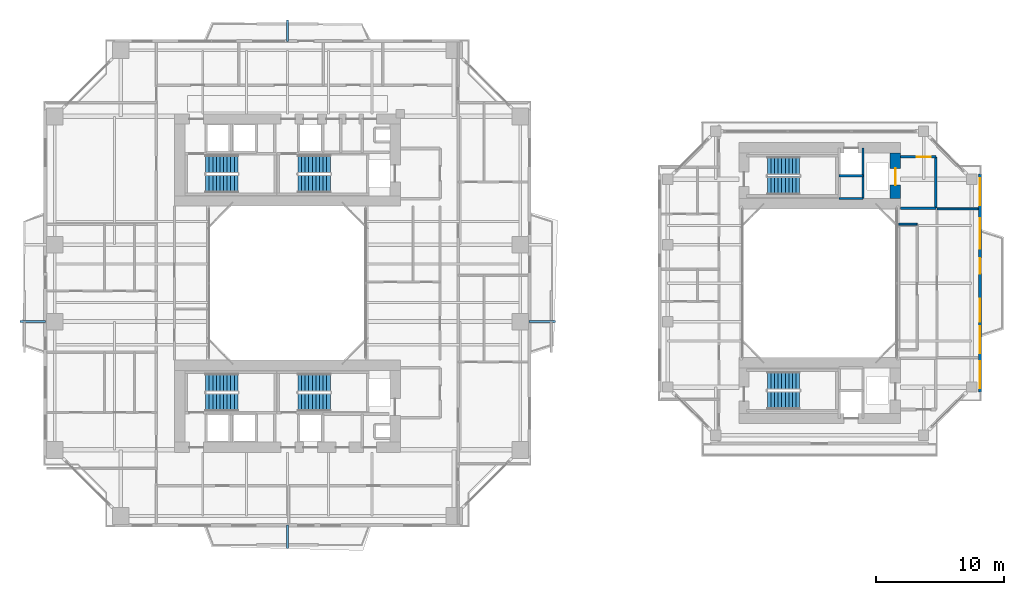
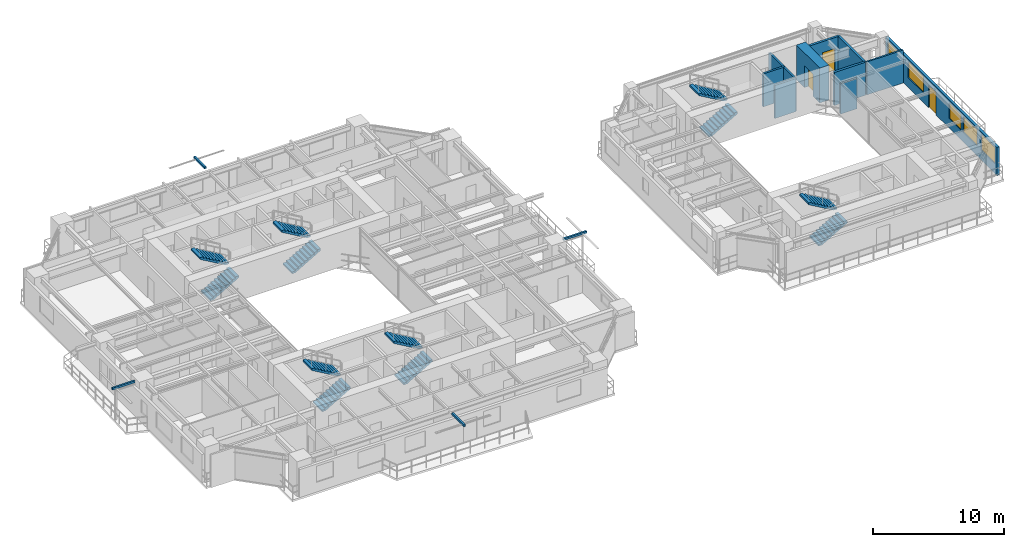
# One storey, part 18 of 24: 12 stair flights, 10 walls, 5 windows, 4 discrete accessories, 3 doors, 8 openings, 6 elements without a shape of their own.
"""IFC4 building model written with IfcOpenShell, lengths in metres."""

from ifc_helpers import new_model, si_unit, direction, frame, frame_2d, origin, origin_2d, place, context, subcontext, project, spatial, polyline, rectangle, outline, extrude, source, transform, mapped, material, layer, layer_set, type_object, element, fill, aggregate, save


model = new_model("IFC4")

# Units and contexts
model_context = context("Model", 3, precision=1e-05, world=origin(), true_north=direction((0.0, 1.0)))
body_context = subcontext(model_context, "Body", "Model", "MODEL_VIEW")
ifc_project = project(units=[si_unit("LENGTHUNIT", "METRE"), si_unit("AREAUNIT", "SQUARE_METRE"), si_unit("VOLUMEUNIT", "CUBIC_METRE"), si_unit("PLANEANGLEUNIT", "RADIAN"), si_unit("MASSUNIT", "GRAM", prefix="KILO"), si_unit("THERMODYNAMICTEMPERATUREUNIT", "KELVIN"), si_unit("POWERUNIT", "WATT")], contexts=[model_context])

# Site, building, storey
site_placement = place(None, origin())
site = spatial("IfcSite", under=ifc_project, at=site_placement, CompositionType="ELEMENT")
building_placement = place(site_placement, origin())
building = spatial("IfcBuilding", under=site, at=building_placement, Name="Qiaomeng Ring Towers", CompositionType="ELEMENT")
storey_placement = place(building_placement, frame((0.0, 0.0, 69.75)))
storey = spatial("IfcBuildingStorey", under=building, at=storey_placement, Name="L19", CompositionType="ELEMENT", Elevation=69.75)

# Wall, openings, windows, door
ifc_material_1 = material(Name="Precast concrete C40", Category="concrete")
ifc_layer_1 = layer(ifc_material_1, 0.219970703125, Name="Precast concrete C40")
ifc_layer_set_1 = layer_set([ifc_layer_1], Name="Precast concrete C40")
wall_type_1 = type_object("IfcWallType", Name="ARC-WL-EW2", PredefinedType="STANDARD", material=ifc_layer_set_1)
wall_1_placement = place(storey_placement, frame((72.989990234375, 14.5, 0.0), z_axis=(0.0, 0.0, 1.0), x_axis=(0.0, 1.0, 0.0)))
wall_1 = element("IfcWall", 1, at=wall_1_placement, inside=storey, type_object=wall_type_1, Name="L19 Companion East Wall", PredefinedType="STANDARD", context=body_context, shape_type="SweptSolid", body=[
    extrude(rectangle(XDim=17.0, YDim=0.219970703125, at=frame_2d((8.5, 0.0))), origin(), (0.0, 0.0, 1.0), 2.610107421875),
])
opening_1_placement = place(wall_1_placement, frame((9.25, 0.0, 0.0)))
opening_1 = element("IfcOpeningElement", 2, at=opening_1_placement, cuts=wall_1, Name="Opening BD1", PredefinedType="OPENING", context=body_context, shape_type="SweptSolid", body=[
    extrude(rectangle(XDim=1.199951171875, YDim=2.10009765625, at=frame_2d((0.60009765625, 1.050048828125))), frame((0.0, 0.119873046875, 0.0), z_axis=(0.0, -1.0, 0.0), x_axis=(1.0, 0.0, 0.0)), (0.0, 0.0, 1.0), 0.239990234375),
])
opening_2_placement = place(wall_1_placement, frame((0.3076171875, 0.0, 0.89990234375)))
opening_2 = element("IfcOpeningElement", 3, at=opening_2_placement, cuts=wall_1, Name="Opening WN4", PredefinedType="OPENING", context=body_context, shape_type="SweptSolid", body=[
    extrude(rectangle(XDim=2.10009765625, YDim=1.5, at=frame_2d((1.050048828125, 0.75))), frame((0.0, 0.119873046875, 0.0), z_axis=(0.0, -1.0, 0.0), x_axis=(1.0, 0.0, 0.0)), (0.0, 0.0, 1.0), 0.239990234375),
])
opening_3_placement = place(wall_1_placement, frame((5.47509765625, 0.0, 0.89990234375)))
opening_3 = element("IfcOpeningElement", 4, at=opening_3_placement, cuts=wall_1, Name="Opening WN1", PredefinedType="OPENING", context=body_context, shape_type="SweptSolid", body=[
    extrude(rectangle(XDim=1.800048828125, YDim=1.449951171875, at=frame_2d((0.89990234375, 0.72509765625))), frame((0.0, 0.119873046875, 0.0), z_axis=(0.0, -1.0, 0.0), x_axis=(1.0, 0.0, 0.0)), (0.0, 0.0, 1.0), 0.239990234375),
])
opening_4_placement = place(wall_1_placement, frame((14.592529296875, 0.0, 0.89990234375)))
opening_4 = element("IfcOpeningElement", 5, at=opening_4_placement, cuts=wall_1, Name="Opening WN4", PredefinedType="OPENING", context=body_context, shape_type="SweptSolid", body=[
    extrude(rectangle(XDim=2.10009765625, YDim=1.5, at=frame_2d((1.050048828125, 0.75))), frame((0.0, 0.119873046875, 0.0), z_axis=(0.0, -1.0, 0.0), x_axis=(1.0, 0.0, 0.0)), (0.0, 0.0, 1.0), 0.239990234375),
])
opening_5_placement = place(wall_1_placement, frame((3.054931640625, 0.0, 0.89990234375)))
opening_5 = element("IfcOpeningElement", 6, at=opening_5_placement, cuts=wall_1, Name="Opening WN4", PredefinedType="OPENING", context=body_context, shape_type="SweptSolid", body=[
    extrude(rectangle(XDim=2.10009765625, YDim=1.5, at=frame_2d((1.050048828125, 0.75))), frame((0.0, 0.119873046875, 0.0), z_axis=(0.0, -1.0, 0.0), x_axis=(1.0, 0.0, 0.0)), (0.0, 0.0, 1.0), 0.239990234375),
])
opening_6_placement = place(wall_1_placement, frame((11.16748046875, 0.0, 0.89990234375)))
opening_6 = element("IfcOpeningElement", 7, at=opening_6_placement, cuts=wall_1, Name="Opening WN6", PredefinedType="OPENING", context=body_context, shape_type="SweptSolid", body=[
    extrude(rectangle(XDim=2.39990234375, YDim=1.5, at=frame_2d((1.199951171875, 0.75))), frame((0.0, 0.119873046875, 0.0), z_axis=(0.0, -1.0, 0.0), x_axis=(1.0, 0.0, 0.0)), (0.0, 0.0, 1.0), 0.239990234375),
])
ifc_material_2 = material(Name="Low-E dark-grey laminated double glazing", Category="glass")
window_type_1 = type_object("IfcWindowType", Name="ARC-WN-4", PartitioningType="TRIPLE_PANEL_VERTICAL", PredefinedType="WINDOW", material=ifc_material_2)
shared_shape_1 = source(origin(), body_context, "Body", "SweptSolid", [
    extrude(rectangle(XDim=2.10009765625, YDim=1.5, at=frame_2d((1.050048828125, 0.75))), frame((0.0, 0.030029296875, 0.0), z_axis=(0.0, -1.0, 0.0), x_axis=(1.0, 0.0, 0.0)), (0.0, 0.0, 1.0), 0.06005859375),
])
window_1_placement = place(opening_2_placement, origin())
window_1 = element("IfcWindow", 8, at=window_1_placement, inside=storey, type_object=window_type_1, Name="L19 Exterior Window WN6", OverallHeight=1.5, OverallWidth=2.10009765625, PartitioningType="TRIPLE_PANEL_VERTICAL", PredefinedType="WINDOW", context=body_context, shape_type="MappedRepresentation", body=[
    mapped(shared_shape_1, transform((0.0, 0.0, 0.0), x_axis=(1.0, 0.0, 0.0), y_axis=(0.0, 1.0, 0.0), z_axis=(0.0, 0.0, 1.0), scale=1.0)),
])
fill(opening_2, window_1)
window_2_placement = place(opening_4_placement, origin())
window_2 = element("IfcWindow", 9, at=window_2_placement, inside=storey, type_object=window_type_1, Name="L19 Exterior Window WN4", OverallHeight=1.5, OverallWidth=2.10009765625, PartitioningType="TRIPLE_PANEL_VERTICAL", PredefinedType="WINDOW", context=body_context, shape_type="MappedRepresentation", body=[
    mapped(shared_shape_1, transform((0.0, 0.0, 0.0), x_axis=(1.0, 0.0, 0.0), y_axis=(0.0, 1.0, 0.0), z_axis=(0.0, 0.0, 1.0), scale=1.0)),
])
fill(opening_4, window_2)
window_3_placement = place(opening_5_placement, origin())
window_3 = element("IfcWindow", 10, at=window_3_placement, inside=storey, type_object=window_type_1, Name="L19 Exterior Window WN4", OverallHeight=1.5, OverallWidth=2.10009765625, PartitioningType="TRIPLE_PANEL_VERTICAL", PredefinedType="WINDOW", context=body_context, shape_type="MappedRepresentation", body=[
    mapped(shared_shape_1, transform((0.0, 0.0, 0.0), x_axis=(1.0, 0.0, 0.0), y_axis=(0.0, 1.0, 0.0), z_axis=(0.0, 0.0, 1.0), scale=1.0)),
])
fill(opening_5, window_3)
window_type_2 = type_object("IfcWindowType", Name="ARC-WN-1", PartitioningType="DOUBLE_PANEL_VERTICAL", PredefinedType="WINDOW", material=ifc_material_2)
shared_shape_2 = source(origin(), body_context, "Body", "SweptSolid", [
    extrude(rectangle(XDim=1.800048828125, YDim=1.449951171875, at=frame_2d((0.89990234375, 0.72509765625))), frame((0.0, 0.030029296875, 0.0), z_axis=(0.0, -1.0, 0.0), x_axis=(1.0, 0.0, 0.0)), (0.0, 0.0, 1.0), 0.06005859375),
])
window_4_placement = place(opening_3_placement, origin())
window_4 = element("IfcWindow", 11, at=window_4_placement, inside=storey, type_object=window_type_2, Name="L19 Exterior Window WN1", OverallHeight=1.449951171875, OverallWidth=1.800048828125, PartitioningType="DOUBLE_PANEL_VERTICAL", PredefinedType="WINDOW", context=body_context, shape_type="MappedRepresentation", body=[
    mapped(shared_shape_2, transform((0.0, 0.0, 0.0), x_axis=(1.0, 0.0, 0.0), y_axis=(0.0, 1.0, 0.0), z_axis=(0.0, 0.0, 1.0), scale=1.0)),
])
fill(opening_3, window_4)
door_type_1 = type_object("IfcDoorType", Name="ARC-DR-BD1", OperationType="NOTDEFINED", PredefinedType="DOOR", material=ifc_material_2)
shared_shape_3 = source(origin(), body_context, "Body", "SweptSolid", [
    extrude(rectangle(XDim=1.199951171875, YDim=2.10009765625, at=frame_2d((0.60009765625, 1.050048828125))), frame((0.0, 0.02490234375, 0.0), z_axis=(0.0, -1.0, 0.0), x_axis=(1.0, 0.0, 0.0)), (0.0, 0.0, 1.0), 0.050048828125),
])
door_1_placement = place(opening_1_placement, origin())
door_1 = element("IfcDoor", 12, at=door_1_placement, inside=storey, type_object=door_type_1, Name="L19 Companion East Balcony Door", OperationType="SINGLE_SWING_LEFT", OverallHeight=2.10009765625, OverallWidth=1.199951171875, PredefinedType="DOOR", context=body_context, shape_type="MappedRepresentation", body=[
    mapped(shared_shape_3, transform((0.0, 0.0, 0.0), x_axis=(1.0, 0.0, 0.0), y_axis=(0.0, 1.0, 0.0), z_axis=(0.0, 0.0, 1.0), scale=1.0)),
])
fill(opening_1, door_1)
window_type_3 = type_object("IfcWindowType", Name="ARC-WN-6", PartitioningType="TRIPLE_PANEL_VERTICAL", PredefinedType="WINDOW", material=ifc_material_2)
shared_shape_4 = source(origin(), body_context, "Body", "SweptSolid", [
    extrude(rectangle(XDim=2.39990234375, YDim=1.5, at=frame_2d((1.199951171875, 0.75))), frame((0.0, 0.030029296875, 0.0), z_axis=(0.0, -1.0, 0.0), x_axis=(1.0, 0.0, 0.0)), (0.0, 0.0, 1.0), 0.06005859375),
])
window_5_placement = place(opening_6_placement, origin())
window_5 = element("IfcWindow", 13, at=window_5_placement, inside=storey, type_object=window_type_3, Name="L19 Exterior Window WN6", OverallHeight=1.5, OverallWidth=2.39990234375, PartitioningType="TRIPLE_PANEL_VERTICAL", PredefinedType="WINDOW", context=body_context, shape_type="MappedRepresentation", body=[
    mapped(shared_shape_4, transform((0.0, 0.0, 0.0), x_axis=(1.0, 0.0, 0.0), y_axis=(0.0, 1.0, 0.0), z_axis=(0.0, 0.0, 1.0), scale=1.0)),
])
fill(opening_6, window_5)

# Walls
ifc_material_3 = material(Name="Autoclaved aerated concrete block", Category="concrete")
ifc_layer_2 = layer(ifc_material_3, 0.199951171875, Name="Autoclaved aerated concrete block")
ifc_layer_set_2 = layer_set([ifc_layer_2], Name="Autoclaved aerated concrete block")
wall_type_2 = type_object("IfcWallType", Name="ARC-WL-PW1", PredefinedType="PARTITIONING", material=ifc_layer_set_2)
wall_2_placement = place(storey_placement, frame((66.800048828125, 28.85009765625, 0.0), z_axis=(0.0, 0.0, 1.0), x_axis=(1.0, 0.0, 0.0)))
element("IfcWall", 14, at=wall_2_placement, inside=storey, type_object=wall_type_2, Name="L19 Interior Wall PW1", PredefinedType="PARTITIONING", context=body_context, shape_type="SweptSolid", body=[
    extrude(rectangle(XDim=2.75, YDim=0.199951171875, at=frame_2d((1.375, 0.0))), origin(), (0.0, 0.0, 1.0), 3.070068359375),
])
wall_3_placement = place(storey_placement, frame((69.550048828125, 28.85009765625, 0.0), z_axis=(0.0, 0.0, 1.0), x_axis=(0.0, 1.0, 0.0)))
element("IfcWall", 15, at=wall_3_placement, inside=storey, type_object=wall_type_2, Name="L19 Interior Wall PW1", PredefinedType="PARTITIONING", context=body_context, shape_type="SweptSolid", body=[
    extrude(rectangle(XDim=4.0, YDim=0.199951171875, at=frame_2d((2.0, 0.0))), origin(), (0.0, 0.0, 1.0), 3.070068359375),
])

# Wall, opening, door
wall_4_placement = place(storey_placement, frame((66.800048828125, 32.85009765625, 0.0), z_axis=(0.0, 0.0, 1.0), x_axis=(1.0, 0.0, 0.0)))
wall_4 = element("IfcWall", 16, at=wall_4_placement, inside=storey, type_object=wall_type_2, Name="L19 Interior Wall PW1", PredefinedType="PARTITIONING", context=body_context, shape_type="SweptSolid", body=[
    extrude(rectangle(XDim=2.75, YDim=0.199951171875, at=frame_2d((1.375, 0.0))), origin(), (0.0, 0.0, 1.0), 3.070068359375),
])
opening_7_placement = place(wall_4_placement, frame((1.25, 0.0, 0.0)))
opening_7 = element("IfcOpeningElement", 17, at=opening_7_placement, cuts=wall_4, Name="Opening FD3", PredefinedType="OPENING", context=body_context, shape_type="SweptSolid", body=[
    extrude(rectangle(XDim=1.10009765625, YDim=2.050048828125, at=frame_2d((0.550048828125, 1.02490234375))), frame((0.0, 0.10986328125, 0.0), z_axis=(0.0, -1.0, 0.0), x_axis=(1.0, 0.0, 0.0)), (0.0, 0.0, 1.0), 0.219970703125),
])
ifc_material_4 = material(Name="Galvanised steel", Category="steel")
door_type_2 = type_object("IfcDoorType", Name="ARC-DR-FD3", OperationType="NOTDEFINED", PredefinedType="DOOR", material=ifc_material_4)
shared_shape_5 = source(origin(), body_context, "Body", "SweptSolid", [
    extrude(rectangle(XDim=1.10009765625, YDim=2.050048828125, at=frame_2d((0.550048828125, 1.02490234375))), frame((0.0, 0.02490234375, 0.0), z_axis=(0.0, -1.0, 0.0), x_axis=(1.0, 0.0, 0.0)), (0.0, 0.0, 1.0), 0.050048828125),
])
door_2_placement = place(opening_7_placement, origin())
door_2 = element("IfcDoor", 18, at=door_2_placement, inside=storey, type_object=door_type_2, Name="L19 Door FD3", OperationType="SINGLE_SWING_LEFT", OverallHeight=2.050048828125, OverallWidth=1.10009765625, PredefinedType="DOOR", context=body_context, shape_type="MappedRepresentation", body=[
    mapped(shared_shape_5, transform((0.0, 0.0, 0.0), x_axis=(1.0, 0.0, 0.0), y_axis=(0.0, 1.0, 0.0), z_axis=(0.0, 0.0, 1.0), scale=1.0)),
])
fill(opening_7, door_2)

# Walls
ifc_material_5 = material(Name="Gypsum fireboard steel-stud partition", Category="steel")
ifc_layer_3 = layer(ifc_material_5, 0.14990234375, Name="Gypsum fireboard steel-stud partition")
ifc_layer_set_3 = layer_set([ifc_layer_3], Name="Gypsum fireboard steel-stud partition")
wall_type_3 = type_object("IfcWallType", Name="ARC-WL-PW3", PredefinedType="PARTITIONING", material=ifc_layer_set_3)
wall_5_placement = place(storey_placement, frame((69.64990234375, 28.800048828125, 0.0), z_axis=(0.0, 0.0, 1.0), x_axis=(1.0, 0.0, 0.0)))
element("IfcWall", 19, at=wall_5_placement, inside=storey, type_object=wall_type_3, Name="L19 Interior Wall PW3", PredefinedType="PARTITIONING", context=body_context, shape_type="SweptSolid", body=[
    extrude(rectangle(XDim=3.2001953125, YDim=0.14990234375, at=frame_2d((1.60009765625, 0.0))), origin(), (0.0, 0.0, 1.0), 3.070068359375),
])
wall_6_placement = place(storey_placement, frame((66.64990234375, 27.60009765625, 0.0), z_axis=(0.0, 0.0, 1.0), x_axis=(1.0, 0.0, 0.0)))
element("IfcWall", 20, at=wall_6_placement, inside=storey, type_object=wall_type_3, Name="L19 Interior Wall PW3", PredefinedType="PARTITIONING", context=body_context, shape_type="SweptSolid", body=[
    extrude(rectangle(XDim=1.4501953125, YDim=0.14990234375, at=frame_2d((0.72509765625, 0.0))), origin(), (0.0, 0.0, 1.0), 2.821044921875),
])
ifc_material_6 = material(Name="Concrete C40", Category="concrete")
ifc_layer_4 = layer(ifc_material_6, 0.199951171875, Name="Concrete C40")
ifc_layer_set_4 = layer_set([ifc_layer_4], Name="Concrete C40")
wall_type_4 = type_object("IfcWallType", Name="STR-WL-STSHAFT", PredefinedType="SHEAR", material=ifc_layer_set_4)
wall_7_placement = place(storey_placement, frame((63.8798828125, 29.60009765625, 0.0), z_axis=(0.0, 0.0, 1.0), x_axis=(0.0, 1.0, 0.0)))
element("IfcWall", 21, at=wall_7_placement, inside=storey, type_object=wall_type_4, Name="L19 Companion Lift Shaft East Wall N", PredefinedType="SHEAR", context=body_context, shape_type="SweptSolid", body=[
    extrude(rectangle(XDim=3.949951171875, YDim=0.179931640625, at=frame_2d((1.97509765625, 0.0))), origin(), (0.0, 0.0, 1.0), 3.070068359375),
])
for number, where, z_axis, x_axis, name in (
    (22, (62.02001953125, 31.3798828125, 0.0), (0.0, 0.0, 1.0), (1.0, 0.0, 0.0), "L19 Companion Lift Shaft Divider Wall N"),
    (23, (62.02001953125, 29.60009765625, 0.0), (0.0, 0.0, 1.0), (1.0, 0.0, 0.0), "L19 Companion Riser Shaft Back Wall N"),
):
    element("IfcWall", number, at=place(storey_placement, frame(where, z_axis=z_axis, x_axis=x_axis)), inside=storey, type_object=wall_type_4, Name=name, PredefinedType="SHEAR", context=body_context, shape_type="SweptSolid", body=[
        extrude(rectangle(XDim=1.85986328125, YDim=0.179931640625, at=frame_2d((0.929931640625, 0.0))), origin(), (0.0, 0.0, 1.0), 3.070068359375),
    ])

# Wall, opening, door
ifc_material_7 = material(Name="Concrete C60", Category="concrete")
ifc_layer_5 = layer(ifc_material_7, 0.800048828125, Name="Concrete C60")
ifc_layer_set_5 = layer_set([ifc_layer_5], Name="Concrete C60")
wall_type_5 = type_object("IfcWallType", Name="STR-WL-SW1", PredefinedType="SHEAR", material=ifc_layer_set_5)
wall_8_placement = place(storey_placement, frame((66.39990234375, 29.60009765625, 0.0), z_axis=(0.0, 0.0, 1.0), x_axis=(0.0, 1.0, 0.0)))
wall_8 = element("IfcWall", 24, at=wall_8_placement, inside=storey, type_object=wall_type_5, Name="L19 T2NC east core shear wall", PredefinedType="SHEAR", context=body_context, shape_type="SweptSolid", body=[
    extrude(rectangle(XDim=3.5498046875, YDim=0.800048828125, at=frame_2d((1.77490234375, 0.0))), origin(), (0.0, 0.0, 1.0), 3.25),
])
opening_8_placement = place(wall_8_placement, frame((1.050048828125, 0.0, 0.0)))
opening_8 = element("IfcOpeningElement", 25, at=opening_8_placement, cuts=wall_8, Name="Opening LD2", PredefinedType="OPENING", context=body_context, shape_type="SweptSolid", body=[
    extrude(rectangle(XDim=1.300048828125, YDim=2.050048828125, at=frame_2d((0.64990234375, 1.02490234375))), frame((0.0, 0.409912109375, 0.0), z_axis=(0.0, -1.0, 0.0), x_axis=(1.0, 0.0, 0.0)), (0.0, 0.0, 1.0), 0.820068359375),
])
ifc_material_8 = material(Name="Stainless steel 316", Category="steel")
door_type_3 = type_object("IfcDoorType", Name="ARC-DR-LD2", OperationType="NOTDEFINED", PredefinedType="DOOR", material=ifc_material_8)
shared_shape_6 = source(origin(), body_context, "Body", "SweptSolid", [
    extrude(rectangle(XDim=1.300048828125, YDim=2.050048828125, at=frame_2d((0.64990234375, 1.02490234375))), frame((0.0, 0.02490234375, 0.0), z_axis=(0.0, -1.0, 0.0), x_axis=(1.0, 0.0, 0.0)), (0.0, 0.0, 1.0), 0.050048828125),
])
door_3_placement = place(opening_8_placement, origin())
door_3 = element("IfcDoor", 26, at=door_3_placement, inside=storey, type_object=door_type_3, Name="L19 Firefighting Lift FL3 Landing Door", OperationType="SLIDING_TO_LEFT", OverallHeight=2.050048828125, OverallWidth=1.300048828125, PredefinedType="DOOR", context=body_context, shape_type="MappedRepresentation", body=[
    mapped(shared_shape_6, transform((0.0, 0.0, 0.0), x_axis=(1.0, 0.0, 0.0), y_axis=(0.0, 1.0, 0.0), z_axis=(0.0, 0.0, 1.0), scale=1.0)),
])
fill(opening_8, door_3)

# Stair, stair flights
stair_type = type_object("IfcStairType", Name="ARC-ST-325", PredefinedType="HALF_TURN_STAIR", material=ifc_material_1)
stair_1_placement = place(storey_placement, origin())
stair_1 = element("IfcStair", 27, at=stair_1_placement, inside=storey, type_object=stair_type, Name="L19 Tower 1 North Stair 1", PredefinedType="HALF_TURN_STAIR")
stair_flight_type = type_object("IfcStairFlightType", Name="ARC-ST-325-FL", PredefinedType="STRAIGHT", material=ifc_material_1)
shared_shape_7 = source(origin(), body_context, "Body", "SweptSolid", [
    extrude(outline(polyline([(0.0, 0.0), (0.0, 0.16259765625), (0.280029296875, 0.16259765625), (0.280029296875, 0.324951171875), (0.56005859375, 0.324951171875), (0.56005859375, 0.487548828125), (0.840087890625, 0.487548828125), (0.840087890625, 0.64990234375), (1.1201171875, 0.64990234375), (1.1201171875, 0.8125), (1.39990234375, 0.8125), (1.39990234375, 0.97509765625), (1.679931640625, 0.97509765625), (1.679931640625, 1.137451171875), (1.9599609375, 1.137451171875), (1.9599609375, 1.300048828125), (2.239990234375, 1.300048828125), (2.239990234375, 1.46240234375), (2.52001953125, 1.46240234375), (2.52001953125, 1.625), (2.52001953125, 1.2890625), (0.298583984375, 0.0), (0.0, 0.0)])), frame((0.0, 0.699951171875, 0.0), z_axis=(0.0, -1.0, 0.0), x_axis=(1.0, 0.0, 0.0)), (0.0, 0.0, 1.0), 1.39990234375),
])
stair_flight_1_placement = place(storey_placement, frame((12.6201171875, 30.75, 0.0), z_axis=(0.0, 0.0, 1.0), x_axis=(1.0, 0.0, 0.0)))
stair_flight_1 = element("IfcStairFlight", 28, at=stair_flight_1_placement, type_object=stair_flight_type, Name="ST1 flight 1", NumberOfRisers=10, NumberOfTreads=9, PredefinedType="STRAIGHT", RiserHeight=0.1625, TreadLength=0.28, context=body_context, shape_type="MappedRepresentation", body=[
    mapped(shared_shape_7, transform((0.0, 0.0, 0.0), x_axis=(1.0, 0.0, 0.0), y_axis=(0.0, 1.0, 0.0), z_axis=(0.0, 0.0, 1.0), scale=1.0)),
])
stair_flight_2_placement = place(storey_placement, frame((15.139892578125, 32.2900390625, 1.625), z_axis=(0.0, 0.0, 1.0), x_axis=(-1.0, 0.0, 0.0)))
stair_flight_2 = element("IfcStairFlight", 29, at=stair_flight_2_placement, type_object=stair_flight_type, Name="ST1 flight 2", NumberOfRisers=10, NumberOfTreads=9, PredefinedType="STRAIGHT", RiserHeight=0.1625, TreadLength=0.28, context=body_context, shape_type="MappedRepresentation", body=[
    mapped(shared_shape_7, transform((0.0, 0.0, 0.0), x_axis=(1.0, 0.0, 0.0), y_axis=(0.0, 1.0, 0.0), z_axis=(0.0, 0.0, 1.0), scale=1.0)),
])
aggregate(stair_1, [stair_flight_1, stair_flight_2])

stair_2_placement = place(storey_placement, origin())
stair_2 = element("IfcStair", 30, at=stair_2_placement, inside=storey, type_object=stair_type, Name="L19 Tower 1 North Stair 2", PredefinedType="HALF_TURN_STAIR")
stair_flight_3_placement = place(storey_placement, frame((19.820068359375, 30.75, 0.0), z_axis=(0.0, 0.0, 1.0), x_axis=(1.0, 0.0, 0.0)))
stair_flight_3 = element("IfcStairFlight", 31, at=stair_flight_3_placement, type_object=stair_flight_type, Name="ST2 flight 1", NumberOfRisers=10, NumberOfTreads=9, PredefinedType="STRAIGHT", RiserHeight=0.1625, TreadLength=0.28, context=body_context, shape_type="MappedRepresentation", body=[
    mapped(shared_shape_7, transform((0.0, 0.0, 0.0), x_axis=(1.0, 0.0, 0.0), y_axis=(0.0, 1.0, 0.0), z_axis=(0.0, 0.0, 1.0), scale=1.0)),
])
stair_flight_4_placement = place(storey_placement, frame((22.340087890625, 32.2900390625, 1.625), z_axis=(0.0, 0.0, 1.0), x_axis=(-1.0, 0.0, 0.0)))
stair_flight_4 = element("IfcStairFlight", 32, at=stair_flight_4_placement, type_object=stair_flight_type, Name="ST2 flight 2", NumberOfRisers=10, NumberOfTreads=9, PredefinedType="STRAIGHT", RiserHeight=0.1625, TreadLength=0.28, context=body_context, shape_type="MappedRepresentation", body=[
    mapped(shared_shape_7, transform((0.0, 0.0, 0.0), x_axis=(1.0, 0.0, 0.0), y_axis=(0.0, 1.0, 0.0), z_axis=(0.0, 0.0, 1.0), scale=1.0)),
])
aggregate(stair_2, [stair_flight_3, stair_flight_4])

stair_3_placement = place(storey_placement, origin())
stair_3 = element("IfcStair", 33, at=stair_3_placement, inside=storey, type_object=stair_type, Name="L19 Tower 1 South Stair 3", PredefinedType="HALF_TURN_STAIR")
stair_flight_5_placement = place(storey_placement, frame((12.6201171875, 13.7099609375, 0.0), z_axis=(0.0, 0.0, 1.0), x_axis=(1.0, 0.0, 0.0)))
stair_flight_5 = element("IfcStairFlight", 34, at=stair_flight_5_placement, type_object=stair_flight_type, Name="ST3 flight 1", NumberOfRisers=10, NumberOfTreads=9, PredefinedType="STRAIGHT", RiserHeight=0.1625, TreadLength=0.28, context=body_context, shape_type="MappedRepresentation", body=[
    mapped(shared_shape_7, transform((0.0, 0.0, 0.0), x_axis=(1.0, 0.0, 0.0), y_axis=(0.0, 1.0, 0.0), z_axis=(0.0, 0.0, 1.0), scale=1.0)),
])
stair_flight_6_placement = place(storey_placement, frame((15.139892578125, 15.25, 1.625), z_axis=(0.0, 0.0, 1.0), x_axis=(-1.0, 0.0, 0.0)))
stair_flight_6 = element("IfcStairFlight", 35, at=stair_flight_6_placement, type_object=stair_flight_type, Name="ST3 flight 2", NumberOfRisers=10, NumberOfTreads=9, PredefinedType="STRAIGHT", RiserHeight=0.1625, TreadLength=0.28, context=body_context, shape_type="MappedRepresentation", body=[
    mapped(shared_shape_7, transform((0.0, 0.0, 0.0), x_axis=(1.0, 0.0, 0.0), y_axis=(0.0, 1.0, 0.0), z_axis=(0.0, 0.0, 1.0), scale=1.0)),
])
aggregate(stair_3, [stair_flight_5, stair_flight_6])

stair_4_placement = place(storey_placement, origin())
stair_4 = element("IfcStair", 36, at=stair_4_placement, inside=storey, type_object=stair_type, Name="L19 Tower 1 South Stair 4", PredefinedType="HALF_TURN_STAIR")
stair_flight_7_placement = place(storey_placement, frame((19.820068359375, 13.7099609375, 0.0), z_axis=(0.0, 0.0, 1.0), x_axis=(1.0, 0.0, 0.0)))
stair_flight_7 = element("IfcStairFlight", 37, at=stair_flight_7_placement, type_object=stair_flight_type, Name="ST4 flight 1", NumberOfRisers=10, NumberOfTreads=9, PredefinedType="STRAIGHT", RiserHeight=0.1625, TreadLength=0.28, context=body_context, shape_type="MappedRepresentation", body=[
    mapped(shared_shape_7, transform((0.0, 0.0, 0.0), x_axis=(1.0, 0.0, 0.0), y_axis=(0.0, 1.0, 0.0), z_axis=(0.0, 0.0, 1.0), scale=1.0)),
])
stair_flight_8_placement = place(storey_placement, frame((22.340087890625, 15.25, 1.625), z_axis=(0.0, 0.0, 1.0), x_axis=(-1.0, 0.0, 0.0)))
stair_flight_8 = element("IfcStairFlight", 38, at=stair_flight_8_placement, type_object=stair_flight_type, Name="ST4 flight 2", NumberOfRisers=10, NumberOfTreads=9, PredefinedType="STRAIGHT", RiserHeight=0.1625, TreadLength=0.28, context=body_context, shape_type="MappedRepresentation", body=[
    mapped(shared_shape_7, transform((0.0, 0.0, 0.0), x_axis=(1.0, 0.0, 0.0), y_axis=(0.0, 1.0, 0.0), z_axis=(0.0, 0.0, 1.0), scale=1.0)),
])
aggregate(stair_4, [stair_flight_7, stair_flight_8])

stair_5_placement = place(storey_placement, origin())
stair_5 = element("IfcStair", 39, at=stair_5_placement, inside=storey, type_object=stair_type, Name="L19 Companion North Stair 5", PredefinedType="HALF_TURN_STAIR")
stair_flight_9_placement = place(storey_placement, frame((56.419921875, 30.60009765625, 0.0), z_axis=(0.0, 0.0, 1.0), x_axis=(1.0, 0.0, 0.0)))
stair_flight_9 = element("IfcStairFlight", 40, at=stair_flight_9_placement, type_object=stair_flight_type, Name="ST5 flight 1", NumberOfRisers=10, NumberOfTreads=9, PredefinedType="STRAIGHT", RiserHeight=0.1625, TreadLength=0.28, context=body_context, shape_type="MappedRepresentation", body=[
    mapped(shared_shape_7, transform((0.0, 0.0, 0.0), x_axis=(1.0, 0.0, 0.0), y_axis=(0.0, 1.0, 0.0), z_axis=(0.0, 0.0, 1.0), scale=1.0)),
])
stair_flight_10_placement = place(storey_placement, frame((58.93994140625, 32.139892578125, 1.625), z_axis=(0.0, 0.0, 1.0), x_axis=(-1.0, 0.0, 0.0)))
stair_flight_10 = element("IfcStairFlight", 41, at=stair_flight_10_placement, type_object=stair_flight_type, Name="ST5 flight 2", NumberOfRisers=10, NumberOfTreads=9, PredefinedType="STRAIGHT", RiserHeight=0.1625, TreadLength=0.28, context=body_context, shape_type="MappedRepresentation", body=[
    mapped(shared_shape_7, transform((0.0, 0.0, 0.0), x_axis=(1.0, 0.0, 0.0), y_axis=(0.0, 1.0, 0.0), z_axis=(0.0, 0.0, 1.0), scale=1.0)),
])
aggregate(stair_5, [stair_flight_9, stair_flight_10])

stair_6_placement = place(storey_placement, origin())
stair_6 = element("IfcStair", 42, at=stair_6_placement, inside=storey, type_object=stair_type, Name="L19 Companion South Stair 6", PredefinedType="HALF_TURN_STAIR")
stair_flight_11_placement = place(storey_placement, frame((56.419921875, 13.860107421875, 0.0), z_axis=(0.0, 0.0, 1.0), x_axis=(1.0, 0.0, 0.0)))
stair_flight_11 = element("IfcStairFlight", 43, at=stair_flight_11_placement, type_object=stair_flight_type, Name="ST6 flight 1", NumberOfRisers=10, NumberOfTreads=9, PredefinedType="STRAIGHT", RiserHeight=0.1625, TreadLength=0.28, context=body_context, shape_type="MappedRepresentation", body=[
    mapped(shared_shape_7, transform((0.0, 0.0, 0.0), x_axis=(1.0, 0.0, 0.0), y_axis=(0.0, 1.0, 0.0), z_axis=(0.0, 0.0, 1.0), scale=1.0)),
])
stair_flight_12_placement = place(storey_placement, frame((58.93994140625, 15.39990234375, 1.625), z_axis=(0.0, 0.0, 1.0), x_axis=(-1.0, 0.0, 0.0)))
stair_flight_12 = element("IfcStairFlight", 44, at=stair_flight_12_placement, type_object=stair_flight_type, Name="ST6 flight 2", NumberOfRisers=10, NumberOfTreads=9, PredefinedType="STRAIGHT", RiserHeight=0.1625, TreadLength=0.28, context=body_context, shape_type="MappedRepresentation", body=[
    mapped(shared_shape_7, transform((0.0, 0.0, 0.0), x_axis=(1.0, 0.0, 0.0), y_axis=(0.0, 1.0, 0.0), z_axis=(0.0, 0.0, 1.0), scale=1.0)),
])
aggregate(stair_6, [stair_flight_11, stair_flight_12])

# Discrete accessories
discrete_accessory_type = type_object("IfcDiscreteAccessoryType", Name="ARC-ACC-BRACKET", PredefinedType="BRACKET", material=ifc_material_8)
shared_shape_8 = source(origin(), body_context, "Body", "SweptSolid", [
    extrude(rectangle(XDim=0.159912109375, YDim=1.85009765625, at=origin_2d()), origin(), (0.0, 0.0, 1.0), 0.179931640625),
])
discrete_accessory_1_placement = place(storey_placement, frame((19.0, 3.22509765625, 2.89990234375), z_axis=(0.0, 0.0, 1.0), x_axis=(1.0, 0.0, 0.0)))
element("IfcDiscreteAccessory", 45, at=discrete_accessory_1_placement, inside=storey, type_object=discrete_accessory_type, Name="L19 Stainless Outer-Skin Tie Bracket S", PredefinedType="BRACKET", context=body_context, shape_type="MappedRepresentation", body=[
    mapped(shared_shape_8, transform((0.0, 0.0, 0.0), x_axis=(1.0, 0.0, 0.0), y_axis=(0.0, 1.0, 0.0), z_axis=(0.0, 0.0, 1.0), scale=1.0)),
])
shared_shape_9 = source(origin(), body_context, "Body", "SweptSolid", [
    extrude(rectangle(XDim=0.159912109375, YDim=1.669921875, at=origin_2d()), origin(), (0.0, 0.0, 1.0), 0.179931640625),
])
discrete_accessory_2_placement = place(storey_placement, frame((19.0, 42.68505859375, 2.89990234375), z_axis=(0.0, 0.0, 1.0), x_axis=(1.0, 0.0, 0.0)))
element("IfcDiscreteAccessory", 46, at=discrete_accessory_2_placement, inside=storey, type_object=discrete_accessory_type, Name="L19 Stainless Outer-Skin Tie Bracket N", PredefinedType="BRACKET", context=body_context, shape_type="MappedRepresentation", body=[
    mapped(shared_shape_9, transform((0.0, 0.0, 0.0), x_axis=(1.0, 0.0, 0.0), y_axis=(0.0, 1.0, 0.0), z_axis=(0.0, 0.0, 1.0), scale=1.0)),
])
shared_shape_10 = source(origin(), body_context, "Body", "SweptSolid", [
    extrude(rectangle(XDim=2.0, YDim=0.159912109375, at=origin_2d()), origin(), (0.0, 0.0, 1.0), 0.179931640625),
])
discrete_accessory_3_placement = place(storey_placement, frame((-0.85009765625, 20.0, 2.89990234375), z_axis=(0.0, 0.0, 1.0), x_axis=(1.0, 0.0, 0.0)))
element("IfcDiscreteAccessory", 47, at=discrete_accessory_3_placement, inside=storey, type_object=discrete_accessory_type, Name="L19 Stainless Outer-Skin Tie Bracket W", PredefinedType="BRACKET", context=body_context, shape_type="MappedRepresentation", body=[
    mapped(shared_shape_10, transform((0.0, 0.0, 0.0), x_axis=(1.0, 0.0, 0.0), y_axis=(0.0, 1.0, 0.0), z_axis=(0.0, 0.0, 1.0), scale=1.0)),
])
shared_shape_11 = source(origin(), body_context, "Body", "SweptSolid", [
    extrude(rectangle(XDim=2.070068359375, YDim=0.159912109375, at=origin_2d()), origin(), (0.0, 0.0, 1.0), 0.179931640625),
])
discrete_accessory_4_placement = place(storey_placement, frame((38.885009765625, 20.0, 2.89990234375), z_axis=(0.0, 0.0, 1.0), x_axis=(1.0, 0.0, 0.0)))
element("IfcDiscreteAccessory", 48, at=discrete_accessory_4_placement, inside=storey, type_object=discrete_accessory_type, Name="L19 Stainless Outer-Skin Tie Bracket E", PredefinedType="BRACKET", context=body_context, shape_type="MappedRepresentation", body=[
    mapped(shared_shape_11, transform((0.0, 0.0, 0.0), x_axis=(1.0, 0.0, 0.0), y_axis=(0.0, 1.0, 0.0), z_axis=(0.0, 0.0, 1.0), scale=1.0)),
])

save(model, "model.ifc")
